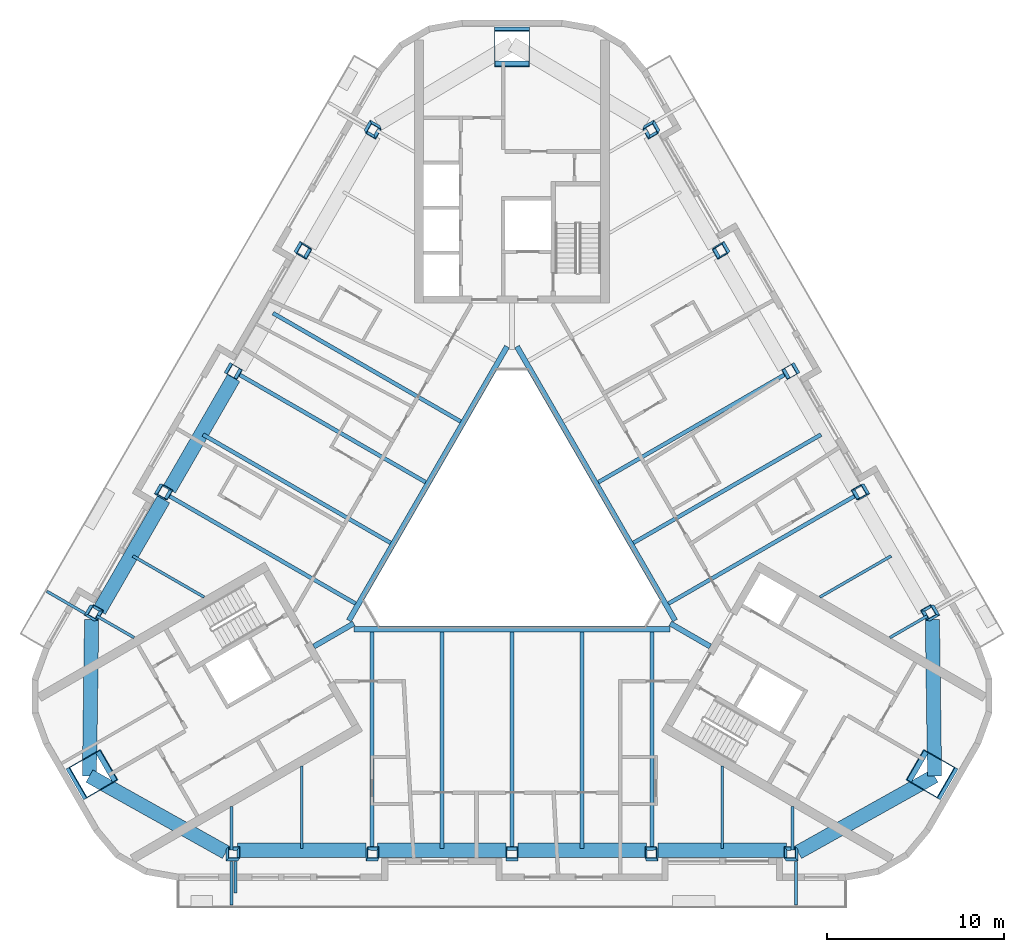
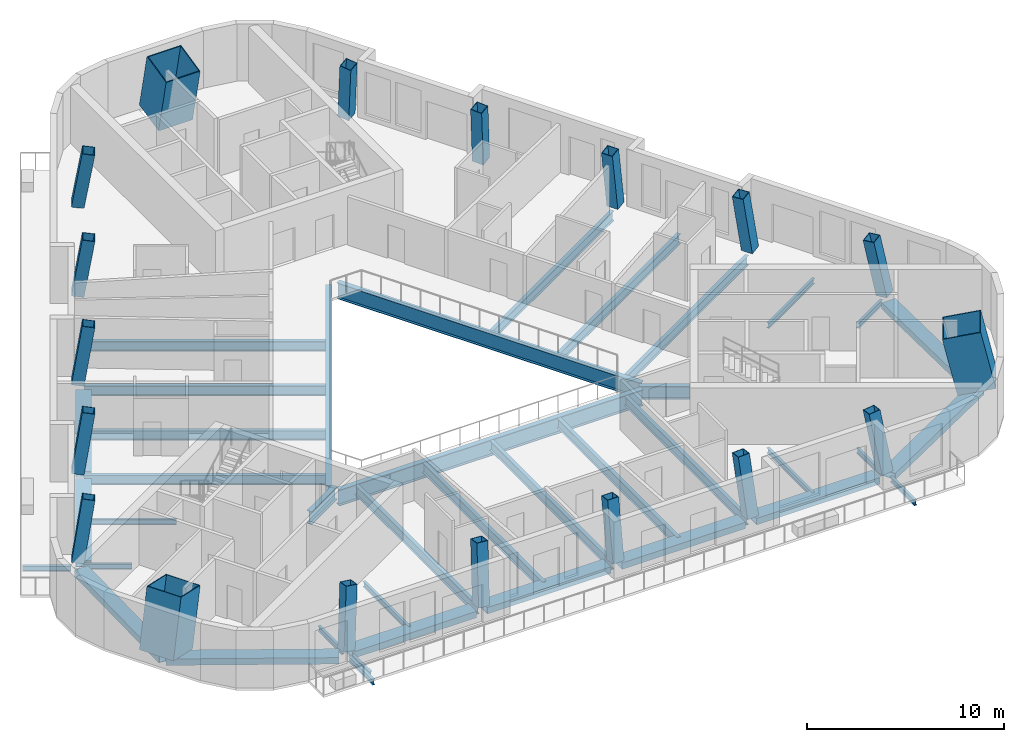
# One storey, part 1 of 14: 39 beams, 18 columns.
"""IFC4 building model written with IfcOpenShell, lengths in metres."""

from ifc_helpers import new_model, si_unit, direction, frame, origin, origin_2d, place, context, subcontext, project, spatial, rectangle, hollow_rectangle, i_section, extrude, boolean, halfspace, material, material_profile, profile_set, type_object, element, save


model = new_model("IFC4")

# Units and contexts
model_context = context("Model", 3, precision=1e-05, world=origin(), true_north=direction((0.0, 1.0)))
body_context = subcontext(model_context, "Body", "Model", "MODEL_VIEW")
ifc_project = project(units=[si_unit("LENGTHUNIT", "METRE"), si_unit("AREAUNIT", "SQUARE_METRE"), si_unit("VOLUMEUNIT", "CUBIC_METRE"), si_unit("PLANEANGLEUNIT", "RADIAN"), si_unit("MASSUNIT", "GRAM", prefix="KILO")], contexts=[model_context])

# Site, building, storey
site_placement = place(None, origin())
site = spatial("IfcSite", under=ifc_project, at=site_placement, CompositionType="ELEMENT")
building_placement = place(site_placement, origin())
building = spatial("IfcBuilding", under=site, at=building_placement, Name="Apuvela Tower Hotel", CompositionType="ELEMENT")
storey_placement = place(building_placement, frame((0.0, 0.0, 254.10009765625)))
storey = spatial("IfcBuildingStorey", under=building, at=storey_placement, Name="L62", CompositionType="ELEMENT", Elevation=254.10009765625)

# Columns
ifc_material_1 = material(Name="Steel S460", Category="steel")
ifc_material_profile_1 = material_profile(ifc_material_1, hollow_rectangle(XDim=2.0, YDim=2.0, WallThickness=0.050048828125, at=origin_2d()), Name="BOX 2000x2000x50")
ifc_material_2 = material(Name="Concrete C80/95", Category="concrete")
ifc_material_profile_2 = material_profile(ifc_material_2, rectangle(XDim=1.89990234375, YDim=1.89990234375, at=origin_2d()), Name="Concrete C80/95 infill")
ifc_profile_set_1 = profile_set([ifc_material_profile_1, ifc_material_profile_2], Name="Steel S460")
column_type_1 = type_object("IfcColumnType", Name="STR-MC mega column BOX 2000x2000x50", PredefinedType="COLUMN", material=ifc_profile_set_1)
for number, where, z_axis, x_axis, name in (
    (1, (0.0, 27.5, 0.0), (0.0, -0.217312342332, 0.976102118567), (1.0, 0.0, 0.0), "Mega column MC4 N"),
    (2, (-23.815673828125, -13.75, 0.0), (0.188199890685, 0.108656131275, 0.976101760209), (0.499981359081, -0.866036165848, 3.792844e-06), "Mega column MC4 SW"),
    (3, (23.815673828125, -13.75, 0.0), (-0.188199890685, 0.108656131275, 0.976101760209), (-0.499981359081, -0.866036165848, 3.792844e-06), "Mega column MC4 SE"),
):
    element("IfcColumn", number, at=place(storey_placement, frame(where, z_axis=z_axis, x_axis=x_axis)), inside=storey, type_object=column_type_1, Name=name, PredefinedType="COLUMN", context=body_context, shape_type="SweptSolid", body=[
        boolean("DIFFERENCE", boolean("DIFFERENCE", extrude(hollow_rectangle(XDim=2.0, YDim=2.0, WallThickness=0.050048828125, at=origin_2d()), origin(), (0.0, 0.0, 1.0), 3.79052734375), halfspace(frame((0.0, 0.0, 0.112060546875), z_axis=(0.0, 0.0, 1.0), x_axis=(1.0, 0.0, 0.0)), True)), halfspace(frame((0.0, 0.0, 3.678466796875), z_axis=(0.0, 0.0, 1.0), x_axis=(1.0, 0.0, 0.0)), False)),
    ])
ifc_material_profile_3 = material_profile(ifc_material_1, hollow_rectangle(XDim=0.64990234375, YDim=0.64990234375, WallThickness=0.030029296875, at=origin_2d()), Name="BOX 650x650x30")
ifc_material_profile_4 = material_profile(ifc_material_2, rectangle(XDim=0.590087890625, YDim=0.590087890625, at=origin_2d()), Name="Concrete C80/95 infill")
ifc_profile_set_2 = profile_set([ifc_material_profile_3, ifc_material_profile_4], Name="Steel S460")
column_type_2 = type_object("IfcColumnType", Name="STR-PC perimeter column BOX 650x650x30", PredefinedType="COLUMN", material=ifc_profile_set_2)
column_1_placement = place(storey_placement, frame((-15.800048828125, -18.22998046875, 0.0), z_axis=(0.121069901949, 0.150398600122, 0.981184151892), x_axis=(-0.992602524484, 0.009308864005, 0.121051945213)))
element("IfcColumn", 4, at=column_1_placement, inside=storey, type_object=column_type_2, Name="Perimeter column C6 S1", PredefinedType="COLUMN", context=body_context, shape_type="SweptSolid", body=[
    boolean("DIFFERENCE", boolean("DIFFERENCE", extrude(hollow_rectangle(XDim=0.64990234375, YDim=0.64990234375, WallThickness=0.030029296875, at=origin_2d()), origin(), (0.0, 0.0, 1.0), 3.77099609375), halfspace(frame((0.0, 0.0, 0.046875), z_axis=(0.0, 0.0, 1.0), x_axis=(1.0, 0.0, 0.0)), True)), halfspace(frame((0.0, 0.0, 3.72412109375), z_axis=(0.0, 0.0, 1.0), x_axis=(1.0, 0.0, 0.0)), False)),
])
column_2_placement = place(storey_placement, frame((-7.89990234375, -18.22998046875, 0.0), z_axis=(0.060805602285, 0.151232777417, 0.986626234075), x_axis=(-0.998137511125, 0.004342411053, 0.060849423591)))
element("IfcColumn", 5, at=column_2_placement, inside=storey, type_object=column_type_2, Name="Perimeter column C6 S2", PredefinedType="COLUMN", context=body_context, shape_type="SweptSolid", body=[
    boolean("DIFFERENCE", boolean("DIFFERENCE", extrude(hollow_rectangle(XDim=0.64990234375, YDim=0.64990234375, WallThickness=0.030029296875, at=origin_2d()), origin(), (0.0, 0.0, 1.0), 3.75), halfspace(frame((0.0, 0.0, 0.039794921875), z_axis=(0.0, 0.0, 1.0), x_axis=(1.0, 0.0, 0.0)), True)), halfspace(frame((0.0, 0.0, 3.71044921875), z_axis=(0.0, 0.0, 1.0), x_axis=(1.0, 0.0, 0.0)), False)),
])
column_3_placement = place(storey_placement, frame((0.0, -18.22998046875, 0.0), z_axis=(0.0, 0.151513133163, 0.98845524455), x_axis=(-1.0, 0.0, 0.0)))
element("IfcColumn", 6, at=column_3_placement, inside=storey, type_object=column_type_2, Name="Perimeter column C6 S3", PredefinedType="COLUMN", context=body_context, shape_type="SweptSolid", body=[
    boolean("DIFFERENCE", boolean("DIFFERENCE", extrude(hollow_rectangle(XDim=0.64990234375, YDim=0.64990234375, WallThickness=0.030029296875, at=origin_2d()), origin(), (0.0, 0.0, 1.0), 3.7431640625), halfspace(frame((0.0, 0.0, 0.037109375), z_axis=(0.0, 0.0, 1.0), x_axis=(1.0, 0.0, 0.0)), True)), halfspace(frame((0.0, 0.0, 3.7060546875), z_axis=(0.0, 0.0, 1.0), x_axis=(1.0, 0.0, 0.0)), False)),
])
column_4_placement = place(storey_placement, frame((7.89990234375, -18.22998046875, 0.0), z_axis=(-0.060805602285, 0.151232777417, 0.986626234075), x_axis=(0.998137511125, 0.004342411053, 0.060849423591)))
element("IfcColumn", 7, at=column_4_placement, inside=storey, type_object=column_type_2, Name="Perimeter column C6 S4", PredefinedType="COLUMN", context=body_context, shape_type="SweptSolid", body=[
    boolean("DIFFERENCE", boolean("DIFFERENCE", extrude(hollow_rectangle(XDim=0.64990234375, YDim=0.64990234375, WallThickness=0.030029296875, at=origin_2d()), origin(), (0.0, 0.0, 1.0), 3.75), halfspace(frame((0.0, 0.0, 0.039794921875), z_axis=(0.0, 0.0, 1.0), x_axis=(1.0, 0.0, 0.0)), True)), halfspace(frame((0.0, 0.0, 3.71044921875), z_axis=(0.0, 0.0, 1.0), x_axis=(1.0, 0.0, 0.0)), False)),
])
column_5_placement = place(storey_placement, frame((15.800048828125, -18.22998046875, 0.0), z_axis=(-0.121069901949, 0.150398600122, 0.981184151892), x_axis=(0.992602524484, 0.009308864005, 0.121051945213)))
element("IfcColumn", 8, at=column_5_placement, inside=storey, type_object=column_type_2, Name="Perimeter column C6 S5", PredefinedType="COLUMN", context=body_context, shape_type="SweptSolid", body=[
    boolean("DIFFERENCE", boolean("DIFFERENCE", extrude(hollow_rectangle(XDim=0.64990234375, YDim=0.64990234375, WallThickness=0.030029296875, at=origin_2d()), origin(), (0.0, 0.0, 1.0), 3.77099609375), halfspace(frame((0.0, 0.0, 0.046875), z_axis=(0.0, 0.0, 1.0), x_axis=(1.0, 0.0, 0.0)), True)), halfspace(frame((0.0, 0.0, 3.72412109375), z_axis=(0.0, 0.0, 1.0), x_axis=(1.0, 0.0, 0.0)), False)),
])
column_6_placement = place(storey_placement, frame((23.6875, -4.568115234375, 0.0), z_axis=(-0.190735837279, 0.02958801006, 0.981195388309), x_axis=(0.488489055842, -0.864137452388, 0.121016138189)))
element("IfcColumn", 9, at=column_6_placement, inside=storey, type_object=column_type_2, Name="Perimeter column C6 NE1", PredefinedType="COLUMN", context=body_context, shape_type="SweptSolid", body=[
    boolean("DIFFERENCE", boolean("DIFFERENCE", extrude(hollow_rectangle(XDim=0.64990234375, YDim=0.64990234375, WallThickness=0.030029296875, at=origin_2d()), origin(), (0.0, 0.0, 1.0), 3.770751953125), halfspace(frame((0.0, 0.0, 0.046875), z_axis=(0.0, 0.0, 1.0), x_axis=(1.0, 0.0, 0.0)), True)), halfspace(frame((0.0, 0.0, 3.72412109375), z_axis=(0.0, 0.0, 1.0), x_axis=(1.0, 0.0, 0.0)), False)),
])
column_7_placement = place(storey_placement, frame((19.737548828125, 2.2734375, 0.0), z_axis=(-0.161388519526, -0.022915997932, 0.986624854139), x_axis=(0.495109873729, -0.866696335889, 0.060857820306)))
element("IfcColumn", 10, at=column_7_placement, inside=storey, type_object=column_type_2, Name="Perimeter column C6 NE2", PredefinedType="COLUMN", context=body_context, shape_type="SweptSolid", body=[
    boolean("DIFFERENCE", boolean("DIFFERENCE", extrude(hollow_rectangle(XDim=0.64990234375, YDim=0.64990234375, WallThickness=0.030029296875, at=origin_2d()), origin(), (0.0, 0.0, 1.0), 3.75), halfspace(frame((0.0, 0.0, 0.039794921875), z_axis=(0.0, 0.0, 1.0), x_axis=(1.0, 0.0, 0.0)), True)), halfspace(frame((0.0, 0.0, 3.71044921875), z_axis=(0.0, 0.0, 1.0), x_axis=(1.0, 0.0, 0.0)), False)),
])
column_8_placement = place(storey_placement, frame((15.78759765625, 9.114990234375, 0.0), z_axis=(-0.131228839908, -0.075723997581, 0.988455799602), x_axis=(0.499841813697, -0.866116713392, 7.933019e-06)))
element("IfcColumn", 11, at=column_8_placement, inside=storey, type_object=column_type_2, Name="Perimeter column C6 NE3", PredefinedType="COLUMN", context=body_context, shape_type="SweptSolid", body=[
    boolean("DIFFERENCE", boolean("DIFFERENCE", extrude(hollow_rectangle(XDim=0.64990234375, YDim=0.64990234375, WallThickness=0.030029296875, at=origin_2d()), origin(), (0.0, 0.0, 1.0), 3.7431640625), halfspace(frame((0.0, 0.0, 0.037109375), z_axis=(0.0, 0.0, 1.0), x_axis=(1.0, 0.0, 0.0)), True)), halfspace(frame((0.0, 0.0, 3.7060546875), z_axis=(0.0, 0.0, 1.0), x_axis=(1.0, 0.0, 0.0)), False)),
])
column_9_placement = place(storey_placement, frame((11.837646484375, 15.95654296875, 0.0), z_axis=(-0.100518021011, -0.128316722417, 0.98662604172), x_axis=(-0.503129383785, 0.862065632243, 0.060857775822)))
element("IfcColumn", 12, at=column_9_placement, inside=storey, type_object=column_type_2, Name="Perimeter column C6 NE4", PredefinedType="COLUMN", context=body_context, shape_type="SweptSolid", body=[
    boolean("DIFFERENCE", boolean("DIFFERENCE", extrude(hollow_rectangle(XDim=0.64990234375, YDim=0.64990234375, WallThickness=0.030029296875, at=origin_2d()), origin(), (0.0, 0.0, 1.0), 3.75), halfspace(frame((0.0, 0.0, 0.039794921875), z_axis=(0.0, 0.0, 1.0), x_axis=(1.0, 0.0, 0.0)), True)), halfspace(frame((0.0, 0.0, 3.71044921875), z_axis=(0.0, 0.0, 1.0), x_axis=(1.0, 0.0, 0.0)), False)),
])
for number, where, z_axis, x_axis, name in (
    (13, (7.8876953125, 22.798095703125, 0.0), (-0.069729210429, -0.17998811977, 0.981194228456), (-0.504065654675, 0.855141098331, 0.121043453862), "Perimeter column C6 NE5"),
    (14, (-7.8876953125, 22.798095703125, 0.0), (0.069729210429, -0.17998811977, 0.981194228456), (0.504065654675, 0.855141098331, 0.121043453862), "Perimeter column C6 NW1"),
):
    element("IfcColumn", number, at=place(storey_placement, frame(where, z_axis=z_axis, x_axis=x_axis)), inside=storey, type_object=column_type_2, Name=name, PredefinedType="COLUMN", context=body_context, shape_type="SweptSolid", body=[
        boolean("DIFFERENCE", boolean("DIFFERENCE", extrude(hollow_rectangle(XDim=0.64990234375, YDim=0.64990234375, WallThickness=0.030029296875, at=origin_2d()), origin(), (0.0, 0.0, 1.0), 3.770751953125), halfspace(frame((0.0, 0.0, 0.046875), z_axis=(0.0, 0.0, 1.0), x_axis=(1.0, 0.0, 0.0)), True)), halfspace(frame((0.0, 0.0, 3.72412109375), z_axis=(0.0, 0.0, 1.0), x_axis=(1.0, 0.0, 0.0)), False)),
    ])
column_10_placement = place(storey_placement, frame((-11.837646484375, 15.95654296875, 0.0), z_axis=(0.100518021011, -0.128316722417, 0.98662604172), x_axis=(0.503129383785, 0.862065632243, 0.060857775822)))
element("IfcColumn", 15, at=column_10_placement, inside=storey, type_object=column_type_2, Name="Perimeter column C6 NW2", PredefinedType="COLUMN", context=body_context, shape_type="SweptSolid", body=[
    boolean("DIFFERENCE", boolean("DIFFERENCE", extrude(hollow_rectangle(XDim=0.64990234375, YDim=0.64990234375, WallThickness=0.030029296875, at=origin_2d()), origin(), (0.0, 0.0, 1.0), 3.75), halfspace(frame((0.0, 0.0, 0.039794921875), z_axis=(0.0, 0.0, 1.0), x_axis=(1.0, 0.0, 0.0)), True)), halfspace(frame((0.0, 0.0, 3.71044921875), z_axis=(0.0, 0.0, 1.0), x_axis=(1.0, 0.0, 0.0)), False)),
])
column_11_placement = place(storey_placement, frame((-15.78759765625, 9.114990234375, 0.0), z_axis=(0.131228839908, -0.075723997581, 0.988455799602), x_axis=(-0.499841813697, -0.866116713392, 7.933019e-06)))
element("IfcColumn", 16, at=column_11_placement, inside=storey, type_object=column_type_2, Name="Perimeter column C6 NW3", PredefinedType="COLUMN", context=body_context, shape_type="SweptSolid", body=[
    boolean("DIFFERENCE", boolean("DIFFERENCE", extrude(hollow_rectangle(XDim=0.64990234375, YDim=0.64990234375, WallThickness=0.030029296875, at=origin_2d()), origin(), (0.0, 0.0, 1.0), 3.7431640625), halfspace(frame((0.0, 0.0, 0.037109375), z_axis=(0.0, 0.0, 1.0), x_axis=(1.0, 0.0, 0.0)), True)), halfspace(frame((0.0, 0.0, 3.7060546875), z_axis=(0.0, 0.0, 1.0), x_axis=(1.0, 0.0, 0.0)), False)),
])
column_12_placement = place(storey_placement, frame((-19.737548828125, 2.2734375, 0.0), z_axis=(0.161388519526, -0.022915997932, 0.986624854139), x_axis=(-0.495109873729, -0.866696335889, 0.060857820306)))
element("IfcColumn", 17, at=column_12_placement, inside=storey, type_object=column_type_2, Name="Perimeter column C6 NW4", PredefinedType="COLUMN", context=body_context, shape_type="SweptSolid", body=[
    boolean("DIFFERENCE", boolean("DIFFERENCE", extrude(hollow_rectangle(XDim=0.64990234375, YDim=0.64990234375, WallThickness=0.030029296875, at=origin_2d()), origin(), (0.0, 0.0, 1.0), 3.75), halfspace(frame((0.0, 0.0, 0.039794921875), z_axis=(0.0, 0.0, 1.0), x_axis=(1.0, 0.0, 0.0)), True)), halfspace(frame((0.0, 0.0, 3.71044921875), z_axis=(0.0, 0.0, 1.0), x_axis=(1.0, 0.0, 0.0)), False)),
])
column_13_placement = place(storey_placement, frame((-23.6875, -4.568115234375, 0.0), z_axis=(0.190735837279, 0.02958801006, 0.981195388309), x_axis=(-0.488489055842, -0.864137452388, 0.121016138189)))
element("IfcColumn", 18, at=column_13_placement, inside=storey, type_object=column_type_2, Name="Perimeter column C6 NW5", PredefinedType="COLUMN", context=body_context, shape_type="SweptSolid", body=[
    boolean("DIFFERENCE", boolean("DIFFERENCE", extrude(hollow_rectangle(XDim=0.64990234375, YDim=0.64990234375, WallThickness=0.030029296875, at=origin_2d()), origin(), (0.0, 0.0, 1.0), 3.770751953125), halfspace(frame((0.0, 0.0, 0.046875), z_axis=(0.0, 0.0, 1.0), x_axis=(1.0, 0.0, 0.0)), True)), halfspace(frame((0.0, 0.0, 3.72412109375), z_axis=(0.0, 0.0, 1.0), x_axis=(1.0, 0.0, 0.0)), False)),
])

# Beams
ifc_material_3 = material(Name="Steel S355", Category="steel")
ifc_material_profile_5 = material_profile(ifc_material_3, i_section(OverallWidth=0.159912109375, OverallDepth=0.330078125, WebThickness=0.007568359375, FlangeThickness=0.011474609375, at=origin_2d()), Name="IPE 330")
ifc_profile_set_3 = profile_set([ifc_material_profile_5], Name="Steel S355")
beam_type_1 = type_object("IfcBeamType", Name="ENV-BALCONY-BEAM-IPE330", PredefinedType="BEAM", material=ifc_profile_set_3)
beam_1_placement = place(storey_placement, frame((-15.800048828125, -18.554931640625, -0.315185546875), z_axis=(0.0, -1.0, 0.0), x_axis=(1.0, 0.0, 0.0)))
element("IfcBeam", 19, at=beam_1_placement, inside=storey, type_object=beam_type_1, Name="Balcony cantilever beam S1 L62", PredefinedType="BEAM", context=body_context, shape_type="SweptSolid", body=[
    extrude(i_section(OverallWidth=0.159912109375, OverallDepth=0.330078125, WebThickness=0.007568359375, FlangeThickness=0.011474609375, at=origin_2d()), origin(), (0.0, 0.0, 1.0), 2.47509765625),
])
beam_2_placement = place(storey_placement, frame((-15.580078125, -18.554931640625, -0.315185546875), z_axis=(0.0, -1.0, 0.0), x_axis=(1.0, 0.0, 0.0)))
element("IfcBeam", 20, at=beam_2_placement, inside=storey, type_object=beam_type_1, Name="Balcony cantilever beam S2 L62", PredefinedType="BEAM", context=body_context, shape_type="SweptSolid", body=[
    extrude(i_section(OverallWidth=0.159912109375, OverallDepth=0.330078125, WebThickness=0.007568359375, FlangeThickness=0.011474609375, at=origin_2d()), origin(), (0.0, 0.0, 1.0), 1.775146484375),
])
beam_3_placement = place(storey_placement, frame((16.0, -18.554931640625, -0.315185546875), z_axis=(0.0, -1.0, 0.0), x_axis=(1.0, 0.0, 0.0)))
element("IfcBeam", 21, at=beam_3_placement, inside=storey, type_object=beam_type_1, Name="Balcony cantilever beam S3 L62", PredefinedType="BEAM", context=body_context, shape_type="SweptSolid", body=[
    extrude(i_section(OverallWidth=0.159912109375, OverallDepth=0.330078125, WebThickness=0.007568359375, FlangeThickness=0.011474609375, at=origin_2d()), origin(), (0.0, 0.0, 1.0), 2.47509765625),
])
beam_4_placement = place(storey_placement, frame((-24.069091796875, -4.578857421875, -0.315185546875), z_axis=(-0.866006523861, 0.500032699561, 0.0), x_axis=(-0.500032699561, -0.866006523861, 0.0)))
element("IfcBeam", 22, at=beam_4_placement, inside=storey, type_object=beam_type_1, Name="Balcony cantilever beam NW3 L62", PredefinedType="BEAM", context=body_context, shape_type="SweptSolid", body=[
    extrude(i_section(OverallWidth=0.159912109375, OverallDepth=0.330078125, WebThickness=0.007568359375, FlangeThickness=0.011474609375, at=origin_2d()), origin(), (0.0, 0.0, 1.0), 2.474853515625),
])
ifc_material_profile_6 = material_profile(ifc_material_3, i_section(OverallWidth=0.159912109375, OverallDepth=0.330078125, WebThickness=0.007568359375, FlangeThickness=0.011474609375, at=origin_2d()), Name="IPE 330")
ifc_profile_set_4 = profile_set([ifc_material_profile_6], Name="Steel S355")
beam_type_2 = type_object("IfcBeamType", Name="STR-B floor beam IPE 330", PredefinedType="BEAM", material=ifc_profile_set_4)
beam_5_placement = place(storey_placement, frame((23.40625, -4.730712890625, -0.315185546875), z_axis=(-0.866016743675, -0.500014999449, 0.0), x_axis=(0.500014999449, -0.866016743675, 0.0)))
element("IfcBeam", 23, at=beam_5_placement, inside=storey, type_object=beam_type_2, Name="Floor beam B1 NE1", PredefinedType="BEAM", context=body_context, shape_type="SweptSolid", body=[
    extrude(i_section(OverallWidth=0.159912109375, OverallDepth=0.330078125, WebThickness=0.007568359375, FlangeThickness=0.011474609375, at=origin_2d()), origin(), (0.0, 0.0, 1.0), 2.43212890625),
])
for number, where, z_axis, x_axis, name in (
    (24, (21.3662109375, -1.347412109375, -0.315185546875), (-0.866011997788, -0.500023219148, 0.0), (0.500023219148, -0.866011997788, 0.0), "Floor beam B1 NE2"),
    (25, (-21.3662109375, -1.347412109375, -0.315185546875), (0.866011997788, -0.500023219148, 0.0), (0.500023219148, 0.866011997788, 0.0), "Floor beam B1 NW8"),
):
    element("IfcBeam", number, at=place(storey_placement, frame(where, z_axis=z_axis, x_axis=x_axis)), inside=storey, type_object=beam_type_2, Name=name, PredefinedType="BEAM", context=body_context, shape_type="SweptSolid", body=[
        extrude(i_section(OverallWidth=0.159912109375, OverallDepth=0.330078125, WebThickness=0.007568359375, FlangeThickness=0.011474609375, at=origin_2d()), origin(), (0.0, 0.0, 1.0), 4.637451171875),
    ])
for number, where, z_axis, x_axis, name in (
    (26, (-23.40625, -4.730712890625, -0.315185546875), (0.866016743675, -0.500014999449, 0.0), (0.500014999449, 0.866016743675, 0.0), "Floor beam B1 NW9"),
    (27, (-15.800048828125, -17.905029296875, -0.315185546875), (0.0, 1.0, 0.0), (-1.0, 0.0, 0.0), "Floor beam B1 S1"),
):
    element("IfcBeam", number, at=place(storey_placement, frame(where, z_axis=z_axis, x_axis=x_axis)), inside=storey, type_object=beam_type_2, Name=name, PredefinedType="BEAM", context=body_context, shape_type="SweptSolid", body=[
        extrude(i_section(OverallWidth=0.159912109375, OverallDepth=0.330078125, WebThickness=0.007568359375, FlangeThickness=0.011474609375, at=origin_2d()), origin(), (0.0, 0.0, 1.0), 2.43212890625),
    ])
for number, where, z_axis, x_axis, name in (
    (28, (-11.85009765625, -17.830078125, -0.315185546875), (0.0, 1.0, 0.0), (-1.0, 0.0, 0.0), "Floor beam B1 S2"),
    (29, (11.85009765625, -17.830078125, -0.315185546875), (0.0, 1.0, 0.0), (-1.0, 0.0, 0.0), "Floor beam B1 S8"),
):
    element("IfcBeam", number, at=place(storey_placement, frame(where, z_axis=z_axis, x_axis=x_axis)), inside=storey, type_object=beam_type_2, Name=name, PredefinedType="BEAM", context=body_context, shape_type="SweptSolid", body=[
        extrude(i_section(OverallWidth=0.159912109375, OverallDepth=0.330078125, WebThickness=0.007568359375, FlangeThickness=0.011474609375, at=origin_2d()), origin(), (0.0, 0.0, 1.0), 4.6376953125),
    ])
beam_6_placement = place(storey_placement, frame((15.800048828125, -17.905029296875, -0.315185546875), z_axis=(0.0, 1.0, 0.0), x_axis=(-1.0, 0.0, 0.0)))
element("IfcBeam", 30, at=beam_6_placement, inside=storey, type_object=beam_type_2, Name="Floor beam B1 S9", PredefinedType="BEAM", context=body_context, shape_type="SweptSolid", body=[
    extrude(i_section(OverallWidth=0.159912109375, OverallDepth=0.330078125, WebThickness=0.007568359375, FlangeThickness=0.011474609375, at=origin_2d()), origin(), (0.0, 0.0, 1.0), 2.43212890625),
])
ifc_material_profile_7 = material_profile(ifc_material_3, i_section(OverallWidth=0.219970703125, OverallDepth=0.60009765625, WebThickness=0.011962890625, FlangeThickness=0.01904296875, at=origin_2d()), Name="IPE 600")
ifc_profile_set_5 = profile_set([ifc_material_profile_7], Name="Steel S355")
beam_type_3 = type_object("IfcBeamType", Name="STR-B floor beam IPE 600", PredefinedType="BEAM", material=ifc_profile_set_5)
beam_7_placement = place(storey_placement, frame((19.456298828125, 2.11083984375, -0.4501953125), z_axis=(-0.866032030074, -0.499988522755, 0.0), x_axis=(0.499988522755, -0.866032030074, 0.0)))
element("IfcBeam", 31, at=beam_7_placement, inside=storey, type_object=beam_type_3, Name="Floor beam B8 NE3", PredefinedType="BEAM", context=body_context, shape_type="SweptSolid", body=[
    extrude(i_section(OverallWidth=0.219970703125, OverallDepth=0.60009765625, WebThickness=0.011962890625, FlangeThickness=0.01904296875, at=origin_2d()), origin(), (0.0, 0.0, 1.0), 12.284912109375),
])
beam_8_placement = place(storey_placement, frame((17.416259765625, 5.494140625, -0.4501953125), z_axis=(-0.866027090894, -0.499997077828, 0.0), x_axis=(0.499997077828, -0.866027090894, 0.0)))
element("IfcBeam", 32, at=beam_8_placement, inside=storey, type_object=beam_type_3, Name="Floor beam B8 NE4", PredefinedType="BEAM", context=body_context, shape_type="SweptSolid", body=[
    extrude(i_section(OverallWidth=0.219970703125, OverallDepth=0.60009765625, WebThickness=0.011962890625, FlangeThickness=0.01904296875, at=origin_2d()), origin(), (0.0, 0.0, 1.0), 12.2099609375),
])
beam_9_placement = place(storey_placement, frame((15.506103515625, 8.952392578125, -0.4501953125), z_axis=(-0.866027061886, -0.499997128072, 0.0), x_axis=(0.499997128072, -0.866027061886, 0.0)))
element("IfcBeam", 33, at=beam_9_placement, inside=storey, type_object=beam_type_3, Name="Floor beam B8 NE5", PredefinedType="BEAM", context=body_context, shape_type="SweptSolid", body=[
    extrude(i_section(OverallWidth=0.219970703125, OverallDepth=0.60009765625, WebThickness=0.011962890625, FlangeThickness=0.01904296875, at=origin_2d()), origin(), (0.0, 0.0, 1.0), 12.28466796875),
])
beam_10_placement = place(storey_placement, frame((-13.46630859375, 12.335693359375, -0.4501953125), z_axis=(0.866027090894, -0.499997077828, 0.0), x_axis=(0.499997077828, 0.866027090894, 0.0)))
element("IfcBeam", 34, at=beam_10_placement, inside=storey, type_object=beam_type_3, Name="Floor beam B8 NW4", PredefinedType="BEAM", context=body_context, shape_type="SweptSolid", body=[
    extrude(i_section(OverallWidth=0.219970703125, OverallDepth=0.60009765625, WebThickness=0.011962890625, FlangeThickness=0.01904296875, at=origin_2d()), origin(), (0.0, 0.0, 1.0), 12.2099609375),
])
beam_11_placement = place(storey_placement, frame((-15.506103515625, 8.952392578125, -0.4501953125), z_axis=(0.866027061886, -0.499997128072, 0.0), x_axis=(0.499997128072, 0.866027061886, 0.0)))
element("IfcBeam", 35, at=beam_11_placement, inside=storey, type_object=beam_type_3, Name="Floor beam B8 NW5", PredefinedType="BEAM", context=body_context, shape_type="SweptSolid", body=[
    extrude(i_section(OverallWidth=0.219970703125, OverallDepth=0.60009765625, WebThickness=0.011962890625, FlangeThickness=0.01904296875, at=origin_2d()), origin(), (0.0, 0.0, 1.0), 12.28466796875),
])
beam_12_placement = place(storey_placement, frame((-17.416259765625, 5.494140625, -0.4501953125), z_axis=(0.866027090894, -0.499997077828, 0.0), x_axis=(0.499997077828, 0.866027090894, 0.0)))
element("IfcBeam", 36, at=beam_12_placement, inside=storey, type_object=beam_type_3, Name="Floor beam B8 NW6", PredefinedType="BEAM", context=body_context, shape_type="SweptSolid", body=[
    extrude(i_section(OverallWidth=0.219970703125, OverallDepth=0.60009765625, WebThickness=0.011962890625, FlangeThickness=0.01904296875, at=origin_2d()), origin(), (0.0, 0.0, 1.0), 12.2099609375),
])
for number, where, z_axis, x_axis, name in (
    (37, (-19.456298828125, 2.11083984375, -0.4501953125), (0.866032030074, -0.499988522755, 0.0), (0.499988522755, 0.866032030074, 0.0), "Floor beam B8 NW7"),
    (38, (-7.89990234375, -17.905029296875, -0.4501953125), (0.0, 1.0, 0.0), (-1.0, 0.0, 0.0), "Floor beam B8 S3"),
):
    element("IfcBeam", number, at=place(storey_placement, frame(where, z_axis=z_axis, x_axis=x_axis)), inside=storey, type_object=beam_type_3, Name=name, PredefinedType="BEAM", context=body_context, shape_type="SweptSolid", body=[
        extrude(i_section(OverallWidth=0.219970703125, OverallDepth=0.60009765625, WebThickness=0.011962890625, FlangeThickness=0.01904296875, at=origin_2d()), origin(), (0.0, 0.0, 1.0), 12.284912109375),
    ])
beam_13_placement = place(storey_placement, frame((-3.949951171875, -17.830078125, -0.4501953125), z_axis=(0.0, 1.0, 0.0), x_axis=(-1.0, 0.0, 0.0)))
element("IfcBeam", 39, at=beam_13_placement, inside=storey, type_object=beam_type_3, Name="Floor beam B8 S4", PredefinedType="BEAM", context=body_context, shape_type="SweptSolid", body=[
    extrude(i_section(OverallWidth=0.219970703125, OverallDepth=0.60009765625, WebThickness=0.011962890625, FlangeThickness=0.01904296875, at=origin_2d()), origin(), (0.0, 0.0, 1.0), 12.2099609375),
])
beam_14_placement = place(storey_placement, frame((0.0, -17.905029296875, -0.4501953125), z_axis=(0.0, 1.0, 0.0), x_axis=(-1.0, 0.0, 0.0)))
element("IfcBeam", 40, at=beam_14_placement, inside=storey, type_object=beam_type_3, Name="Floor beam B8 S5", PredefinedType="BEAM", context=body_context, shape_type="SweptSolid", body=[
    extrude(i_section(OverallWidth=0.219970703125, OverallDepth=0.60009765625, WebThickness=0.011962890625, FlangeThickness=0.01904296875, at=origin_2d()), origin(), (0.0, 0.0, 1.0), 12.284912109375),
])
beam_15_placement = place(storey_placement, frame((3.949951171875, -17.830078125, -0.4501953125), z_axis=(0.0, 1.0, 0.0), x_axis=(-1.0, 0.0, 0.0)))
element("IfcBeam", 41, at=beam_15_placement, inside=storey, type_object=beam_type_3, Name="Floor beam B8 S6", PredefinedType="BEAM", context=body_context, shape_type="SweptSolid", body=[
    extrude(i_section(OverallWidth=0.219970703125, OverallDepth=0.60009765625, WebThickness=0.011962890625, FlangeThickness=0.01904296875, at=origin_2d()), origin(), (0.0, 0.0, 1.0), 12.2099609375),
])
beam_16_placement = place(storey_placement, frame((7.89990234375, -17.905029296875, -0.4501953125), z_axis=(0.0, 1.0, 0.0), x_axis=(-1.0, 0.0, 0.0)))
element("IfcBeam", 42, at=beam_16_placement, inside=storey, type_object=beam_type_3, Name="Floor beam B8 S7", PredefinedType="BEAM", context=body_context, shape_type="SweptSolid", body=[
    extrude(i_section(OverallWidth=0.219970703125, OverallDepth=0.60009765625, WebThickness=0.011962890625, FlangeThickness=0.01904296875, at=origin_2d()), origin(), (0.0, 0.0, 1.0), 12.284912109375),
])
ifc_material_profile_8 = material_profile(ifc_material_3, i_section(OverallWidth=0.300048828125, OverallDepth=0.989990234375, WebThickness=0.0166015625, FlangeThickness=0.031005859375, at=origin_2d()), Name="HE 1000 A")
ifc_profile_set_6 = profile_set([ifc_material_profile_8], Name="Steel S355")
beam_type_4 = type_object("IfcBeamType", Name="STR-G atrium ring girder HE 1000 A", PredefinedType="BEAM", material=ifc_profile_set_6)
beam_17_placement = place(storey_placement, frame((-0.27978515625, 10.455078125, -0.64501953125), z_axis=(-0.500006541319, -0.866021627119, 0.0), x_axis=(0.866021627119, -0.500006541319, 0.0)))
element("IfcBeam", 43, at=beam_17_placement, inside=storey, type_object=beam_type_4, Name="Atrium ring girder G3 N-SW", PredefinedType="BEAM", context=body_context, shape_type="SweptSolid", body=[
    extrude(i_section(OverallWidth=0.300048828125, OverallDepth=0.989990234375, WebThickness=0.0166015625, FlangeThickness=0.031005859375, at=origin_2d()), origin(), (0.0, 0.0, 1.0), 17.828857421875),
])
beam_18_placement = place(storey_placement, frame((-8.91455078125, -5.469970703125, -0.64501953125), z_axis=(1.0, 0.0, 0.0), x_axis=(0.0, 1.0, 0.0)))
element("IfcBeam", 44, at=beam_18_placement, inside=storey, type_object=beam_type_4, Name="Atrium ring girder G3 SW-SE", PredefinedType="BEAM", context=body_context, shape_type="SweptSolid", body=[
    extrude(i_section(OverallWidth=0.300048828125, OverallDepth=0.989990234375, WebThickness=0.0166015625, FlangeThickness=0.031005859375, at=origin_2d()), origin(), (0.0, 0.0, 1.0), 17.8291015625),
])
beam_19_placement = place(storey_placement, frame((9.1943359375, -4.985107421875, -0.64501953125), z_axis=(-0.500006541319, 0.866021627119, 0.0), x_axis=(-0.866021627119, -0.500006541319, 0.0)))
element("IfcBeam", 45, at=beam_19_placement, inside=storey, type_object=beam_type_4, Name="Atrium ring girder G3 SE-N", PredefinedType="BEAM", context=body_context, shape_type="SweptSolid", body=[
    extrude(i_section(OverallWidth=0.300048828125, OverallDepth=0.989990234375, WebThickness=0.0166015625, FlangeThickness=0.031005859375, at=origin_2d()), origin(), (0.0, 0.0, 1.0), 17.828857421875),
])
ifc_material_profile_9 = material_profile(ifc_material_3, i_section(OverallWidth=0.300048828125, OverallDepth=0.800048828125, WebThickness=0.017578125, FlangeThickness=0.032958984375, at=origin_2d()), Name="HE 800 B")
ifc_profile_set_7 = profile_set([ifc_material_profile_9], Name="Steel S355")
beam_type_5 = type_object("IfcBeamType", Name="STR-GT core tie beam HE 800 B", PredefinedType="BEAM", material=ifc_profile_set_7)
for number, where, z_axis, x_axis, name in (
    (46, (-11.171630859375, -6.449951171875, -0.550048828125), (0.865997922154, 0.500047596559, 0.0), (-0.500047596559, 0.865997922154, 0.0), "Core tie beam GT1 SW"),
    (47, (11.171630859375, -6.449951171875, -0.550048828125), (-0.865997922154, 0.500047596559, 0.0), (-0.500047596559, -0.865997922154, 0.0), "Core tie beam GT1 SE"),
):
    element("IfcBeam", number, at=place(storey_placement, frame(where, z_axis=z_axis, x_axis=x_axis)), inside=storey, type_object=beam_type_5, Name=name, PredefinedType="BEAM", context=body_context, shape_type="SweptSolid", body=[
        extrude(i_section(OverallWidth=0.300048828125, OverallDepth=0.800048828125, WebThickness=0.017578125, FlangeThickness=0.032958984375, at=origin_2d()), origin(), (0.0, 0.0, 1.0), 2.599853515625),
    ])
ifc_material_profile_10 = material_profile(ifc_material_1, hollow_rectangle(XDim=0.800048828125, YDim=0.39990234375, WallThickness=0.02490234375, at=origin_2d()), Name="BOX 800x400x25")
ifc_profile_set_8 = profile_set([ifc_material_profile_10], Name="Steel S460")
beam_type_6 = type_object("IfcBeamType", Name="STR-RB perimeter ring beam BOX 800x400x25", PredefinedType="SPANDREL", material=ifc_profile_set_8)
for number, where, z_axis, x_axis, name in (
    (48, (-15.47509765625, -17.929931640625, -0.400146484375), (1.0, 0.0, 0.0), (0.0, 1.0, 0.0), "Ring beam RB1 S1"),
    (49, (-7.574951171875, -17.929931640625, -0.400146484375), (1.0, 0.0, 0.0), (0.0, 1.0, 0.0), "Ring beam RB1 S2"),
    (50, (0.324951171875, -17.929931640625, -0.400146484375), (1.0, 0.0, 0.0), (0.0, 1.0, 0.0), "Ring beam RB1 S3"),
    (51, (8.22509765625, -17.929931640625, -0.400146484375), (1.0, 0.0, 0.0), (0.0, 1.0, 0.0), "Ring beam RB1 S4"),
    (52, (-15.690185546875, 8.68359375, -0.400146484375), (-0.499992569217, -0.866029693906, 0.0), (0.866029693906, -0.499992569217, 0.0), "Ring beam RB1 NW3"),
    (53, (-19.640380859375, 1.841796875, -0.400146484375), (-0.500007150726, -0.866021275271, 0.0), (0.866021275271, -0.500007150726, 0.0), "Ring beam RB1 NW4"),
):
    element("IfcBeam", number, at=place(storey_placement, frame(where, z_axis=z_axis, x_axis=x_axis)), inside=storey, type_object=beam_type_6, Name=name, PredefinedType="SPANDREL", context=body_context, shape_type="SweptSolid", body=[
        extrude(hollow_rectangle(XDim=0.800048828125, YDim=0.39990234375, WallThickness=0.02490234375, at=origin_2d()), origin(), (0.0, 0.0, 1.0), 7.25),
    ])
for number, where, z_axis, x_axis, name in (
    (54, (-16.125, -18.04833984375, -0.400146484375), (-0.872913979723, 0.48787414771, 0.0), (-0.48787414771, -0.872913979723, 0.0), "Ring beam RB1 S1-SW"),
    (55, (16.125, -18.04833984375, -0.400146484375), (0.872913979723, 0.48787414771, 0.0), (-0.48787414771, 0.872913979723, 0.0), "Ring beam RB1 S5-SE"),
):
    element("IfcBeam", number, at=place(storey_placement, frame(where, z_axis=z_axis, x_axis=x_axis)), inside=storey, type_object=beam_type_6, Name=name, PredefinedType="SPANDREL", context=body_context, shape_type="SweptSolid", body=[
        extrude(hollow_rectangle(XDim=0.800048828125, YDim=0.39990234375, WallThickness=0.02490234375, at=origin_2d()), origin(), (0.0, 0.0, 1.0), 8.810302734375),
    ])
for number, where, z_axis, x_axis, name in (
    (56, (23.69287109375, -4.9404296875, -0.400146484375), (0.013938342115, -0.999902856591, 0.0), (0.999902856591, 0.013938342115, 0.0), "Ring beam RB1 NE1-SE"),
    (57, (-23.69287109375, -4.9404296875, -0.400146484375), (-0.013938342115, -0.999902856591, 0.0), (0.999902856591, -0.013938342115, 0.0), "Ring beam RB1 NW5-SW"),
):
    element("IfcBeam", number, at=place(storey_placement, frame(where, z_axis=z_axis, x_axis=x_axis)), inside=storey, type_object=beam_type_6, Name=name, PredefinedType="SPANDREL", context=body_context, shape_type="SweptSolid", body=[
        extrude(hollow_rectangle(XDim=0.800048828125, YDim=0.39990234375, WallThickness=0.02490234375, at=origin_2d()), origin(), (0.0, 0.0, 1.0), 8.810546875),
    ])

save(model, "model.ifc")
